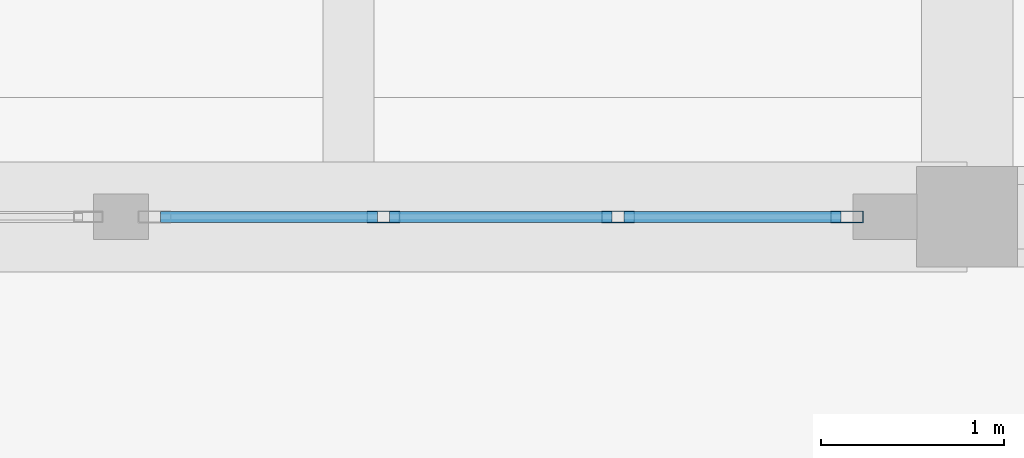
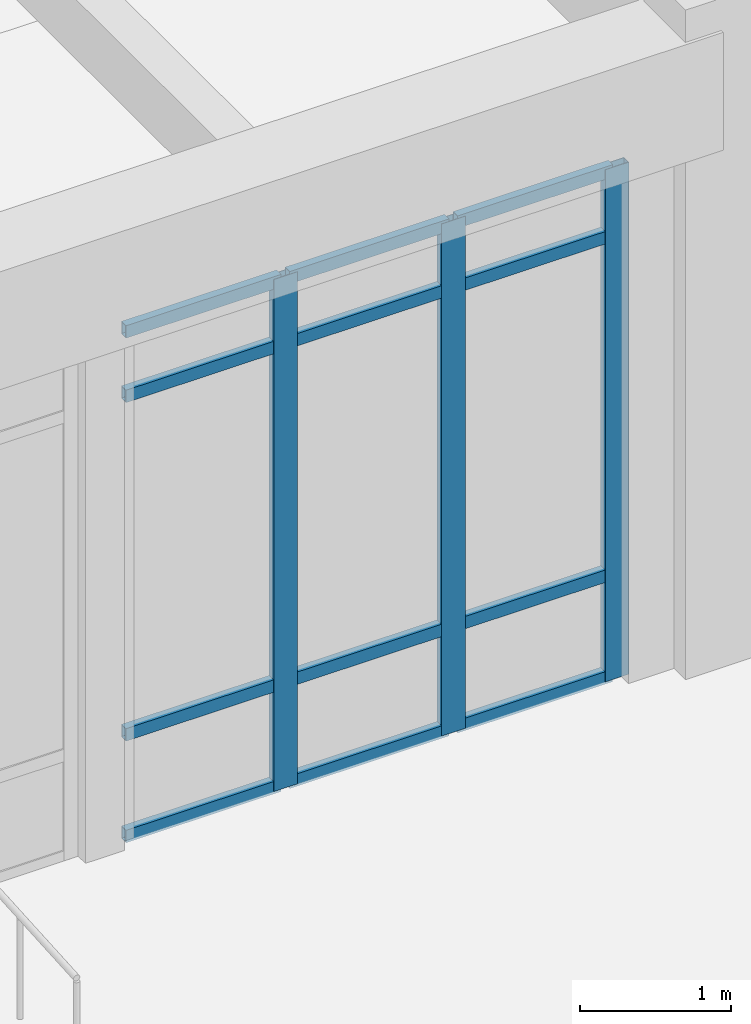
# One storey, part 59 of 138: 15 members, 1 element without a shape of its own.
"""IFC4 building model written with IfcOpenShell, lengths in metres."""

from ifc_helpers import new_model, si_unit, direction, frame, origin, origin_2d, place, context, subcontext, project, spatial, hollow_rectangle, extrude, material, layer, layer_set, material_profile, profile_set, type_object, element, aggregate, save


model = new_model("IFC4")

# Units and contexts
model_context = context("Model", 3, precision=1e-05, world=origin(), true_north=direction((0.0, 1.0)))
body_context = subcontext(model_context, "Body", "Model", "MODEL_VIEW")
ifc_project = project(units=[si_unit("LENGTHUNIT", "METRE"), si_unit("AREAUNIT", "SQUARE_METRE"), si_unit("VOLUMEUNIT", "CUBIC_METRE"), si_unit("PLANEANGLEUNIT", "RADIAN"), si_unit("MASSUNIT", "GRAM", prefix="KILO")], contexts=[model_context])

# Site, building, storey
site_placement = place(None, origin())
site = spatial("IfcSite", under=ifc_project, at=site_placement, CompositionType="ELEMENT")
building_placement = place(site_placement, origin())
building = spatial("IfcBuilding", under=site, at=building_placement, Name="Fikremerkos Civic Library", CompositionType="ELEMENT")
storey_placement = place(building_placement, origin())
storey = spatial("IfcBuildingStorey", under=building, at=storey_placement, Name="L00", CompositionType="ELEMENT", Elevation=0.0)

# Curtain wall, members
ifc_material = material(Name="Anodized aluminium Frame", Category="aluminium")
ifc_layer = layer(ifc_material, 0.159912109375, Name="Anodized aluminium Frame")
ifc_layer_set = layer_set([ifc_layer], Name="Anodized aluminium Frame")
curtain_wall_type = type_object("IfcCurtainWallType", Name="Unitised curtain wall CW-13 3700x3200", PredefinedType="USERDEFINED", material=ifc_layer_set)
curtain_wall_placement = place(storey_placement, origin())
curtain_wall = element("IfcCurtainWall", 1, at=curtain_wall_placement, inside=storey, type_object=curtain_wall_type, Name="Unitised curtain wall CW-13 L00 #31", ObjectType="UNITISED CURTAIN WALL", PredefinedType="USERDEFINED")
ifc_material_profile_1 = material_profile(ifc_material, hollow_rectangle(XDim=0.06494140625, YDim=0.179931640625, WallThickness=0.00439453125, at=origin_2d()), Name="ALU 180x65x4.5")
ifc_profile_set_1 = profile_set([ifc_material_profile_1], Name="Anodized aluminium Frame")
member_type_1 = type_object("IfcMemberType", Name="Curtain mullion CWM-01 ALU 180x65x4.5", PredefinedType="MULLION", material=ifc_profile_set_1)
member_1_placement = place(storey_placement, frame((99.54443359375, 96.0, 0.0), z_axis=(0.0, 0.0, 1.0), x_axis=(0.0, -1.0, 0.0)))
member_1 = element("IfcMember", 2, at=member_1_placement, type_object=member_type_1, Name="CW-13 mullion 1", PredefinedType="MULLION", context=body_context, shape_type="SweptSolid", body=[
    extrude(hollow_rectangle(XDim=0.06494140625, YDim=0.179931640625, WallThickness=0.00439453125, at=origin_2d()), origin(), (0.0, 0.0, 1.0), 4.1298828125),
])
member_2_placement = place(storey_placement, frame((98.2958984375, 96.0, 0.0), z_axis=(0.0, 0.0, 1.0), x_axis=(0.0, -1.0, 0.0)))
member_2 = element("IfcMember", 3, at=member_2_placement, type_object=member_type_1, Name="CW-13 mullion 2", PredefinedType="MULLION", context=body_context, shape_type="SweptSolid", body=[
    extrude(hollow_rectangle(XDim=0.06494140625, YDim=0.179931640625, WallThickness=0.00439453125, at=origin_2d()), origin(), (0.0, 0.0, 1.0), 4.1298828125),
])
member_3_placement = place(storey_placement, frame((97.014892578125, 96.0, 0.0), z_axis=(0.0, 0.0, 1.0), x_axis=(0.0, -1.0, 0.0)))
member_3 = element("IfcMember", 4, at=member_3_placement, type_object=member_type_1, Name="CW-13 mullion 3", PredefinedType="MULLION", context=body_context, shape_type="SweptSolid", body=[
    extrude(hollow_rectangle(XDim=0.06494140625, YDim=0.179931640625, WallThickness=0.00439453125, at=origin_2d()), origin(), (0.0, 0.0, 1.0), 4.1298828125),
])
ifc_material_profile_2 = material_profile(ifc_material, hollow_rectangle(XDim=0.06005859375, YDim=0.10009765625, WallThickness=0.00390625, at=origin_2d()), Name="ALU 100x60x4")
ifc_profile_set_2 = profile_set([ifc_material_profile_2], Name="Anodized aluminium Frame")
member_type_2 = type_object("IfcMemberType", Name="Curtain transom CWT-03 ALU 100x60x4", PredefinedType="USERDEFINED", material=ifc_profile_set_2)
member_4_placement = place(storey_placement, frame((99.511962890625, 96.0, 0.030029296875), z_axis=(-1.0, 0.0, 0.0), x_axis=(0.0, -1.0, 0.0)))
member_4 = element("IfcMember", 5, at=member_4_placement, type_object=member_type_2, Name="CW-13 transom 1.1", ObjectType="TRANSOM", PredefinedType="USERDEFINED", context=body_context, shape_type="SweptSolid", body=[
    extrude(hollow_rectangle(XDim=0.06005859375, YDim=0.10009765625, WallThickness=0.00390625, at=origin_2d()), origin(), (0.0, 0.0, 1.0), 1.183349609375),
])
member_5_placement = place(storey_placement, frame((99.511962890625, 96.0, 0.85009765625), z_axis=(-1.0, 0.0, 0.0), x_axis=(0.0, -1.0, 0.0)))
member_5 = element("IfcMember", 6, at=member_5_placement, type_object=member_type_2, Name="CW-13 transom 1.2", ObjectType="TRANSOM", PredefinedType="USERDEFINED", context=body_context, shape_type="SweptSolid", body=[
    extrude(hollow_rectangle(XDim=0.06005859375, YDim=0.10009765625, WallThickness=0.00390625, at=origin_2d()), origin(), (0.0, 0.0, 1.0), 1.183349609375),
])
member_6_placement = place(storey_placement, frame((99.511962890625, 96.0, 3.580078125), z_axis=(-1.0, 0.0, 0.0), x_axis=(0.0, -1.0, 0.0)))
member_6 = element("IfcMember", 7, at=member_6_placement, type_object=member_type_2, Name="CW-13 transom 1.3", ObjectType="TRANSOM", PredefinedType="USERDEFINED", context=body_context, shape_type="SweptSolid", body=[
    extrude(hollow_rectangle(XDim=0.06005859375, YDim=0.10009765625, WallThickness=0.00390625, at=origin_2d()), origin(), (0.0, 0.0, 1.0), 1.183349609375),
])
member_7_placement = place(storey_placement, frame((99.511962890625, 96.0, 4.10009765625), z_axis=(-1.0, 0.0, 0.0), x_axis=(0.0, -1.0, 0.0)))
member_7 = element("IfcMember", 8, at=member_7_placement, type_object=member_type_2, Name="CW-13 transom 1.4", ObjectType="TRANSOM", PredefinedType="USERDEFINED", context=body_context, shape_type="SweptSolid", body=[
    extrude(hollow_rectangle(XDim=0.06005859375, YDim=0.10009765625, WallThickness=0.00390625, at=origin_2d()), origin(), (0.0, 0.0, 1.0), 1.183349609375),
])
member_8_placement = place(storey_placement, frame((98.263427734375, 96.0, 0.030029296875), z_axis=(-1.0, 0.0, 0.0), x_axis=(0.0, -1.0, 0.0)))
member_8 = element("IfcMember", 9, at=member_8_placement, type_object=member_type_2, Name="CW-13 transom 2.1", ObjectType="TRANSOM", PredefinedType="USERDEFINED", context=body_context, shape_type="SweptSolid", body=[
    extrude(hollow_rectangle(XDim=0.06005859375, YDim=0.10009765625, WallThickness=0.00390625, at=origin_2d()), origin(), (0.0, 0.0, 1.0), 1.2158203125),
])
member_9_placement = place(storey_placement, frame((98.263427734375, 96.0, 0.85009765625), z_axis=(-1.0, 0.0, 0.0), x_axis=(0.0, -1.0, 0.0)))
member_9 = element("IfcMember", 10, at=member_9_placement, type_object=member_type_2, Name="CW-13 transom 2.2", ObjectType="TRANSOM", PredefinedType="USERDEFINED", context=body_context, shape_type="SweptSolid", body=[
    extrude(hollow_rectangle(XDim=0.06005859375, YDim=0.10009765625, WallThickness=0.00390625, at=origin_2d()), origin(), (0.0, 0.0, 1.0), 1.2158203125),
])
member_10_placement = place(storey_placement, frame((98.263427734375, 96.0, 3.580078125), z_axis=(-1.0, 0.0, 0.0), x_axis=(0.0, -1.0, 0.0)))
member_10 = element("IfcMember", 11, at=member_10_placement, type_object=member_type_2, Name="CW-13 transom 2.3", ObjectType="TRANSOM", PredefinedType="USERDEFINED", context=body_context, shape_type="SweptSolid", body=[
    extrude(hollow_rectangle(XDim=0.06005859375, YDim=0.10009765625, WallThickness=0.00390625, at=origin_2d()), origin(), (0.0, 0.0, 1.0), 1.2158203125),
])
member_11_placement = place(storey_placement, frame((98.263427734375, 96.0, 4.10009765625), z_axis=(-1.0, 0.0, 0.0), x_axis=(0.0, -1.0, 0.0)))
member_11 = element("IfcMember", 12, at=member_11_placement, type_object=member_type_2, Name="CW-13 transom 2.4", ObjectType="TRANSOM", PredefinedType="USERDEFINED", context=body_context, shape_type="SweptSolid", body=[
    extrude(hollow_rectangle(XDim=0.06005859375, YDim=0.10009765625, WallThickness=0.00390625, at=origin_2d()), origin(), (0.0, 0.0, 1.0), 1.2158203125),
])
member_12_placement = place(storey_placement, frame((96.982421875, 96.0, 0.030029296875), z_axis=(-1.0, 0.0, 0.0), x_axis=(0.0, -1.0, 0.0)))
member_12 = element("IfcMember", 13, at=member_12_placement, type_object=member_type_2, Name="CW-13 transom 3.1", ObjectType="TRANSOM", PredefinedType="USERDEFINED", context=body_context, shape_type="SweptSolid", body=[
    extrude(hollow_rectangle(XDim=0.06005859375, YDim=0.10009765625, WallThickness=0.00390625, at=origin_2d()), origin(), (0.0, 0.0, 1.0), 1.183349609375),
])
member_13_placement = place(storey_placement, frame((96.982421875, 96.0, 0.85009765625), z_axis=(-1.0, 0.0, 0.0), x_axis=(0.0, -1.0, 0.0)))
member_13 = element("IfcMember", 14, at=member_13_placement, type_object=member_type_2, Name="CW-13 transom 3.2", ObjectType="TRANSOM", PredefinedType="USERDEFINED", context=body_context, shape_type="SweptSolid", body=[
    extrude(hollow_rectangle(XDim=0.06005859375, YDim=0.10009765625, WallThickness=0.00390625, at=origin_2d()), origin(), (0.0, 0.0, 1.0), 1.183349609375),
])
member_14_placement = place(storey_placement, frame((96.982421875, 96.0, 3.580078125), z_axis=(-1.0, 0.0, 0.0), x_axis=(0.0, -1.0, 0.0)))
member_14 = element("IfcMember", 15, at=member_14_placement, type_object=member_type_2, Name="CW-13 transom 3.3", ObjectType="TRANSOM", PredefinedType="USERDEFINED", context=body_context, shape_type="SweptSolid", body=[
    extrude(hollow_rectangle(XDim=0.06005859375, YDim=0.10009765625, WallThickness=0.00390625, at=origin_2d()), origin(), (0.0, 0.0, 1.0), 1.183349609375),
])
member_15_placement = place(storey_placement, frame((96.982421875, 96.0, 4.10009765625), z_axis=(-1.0, 0.0, 0.0), x_axis=(0.0, -1.0, 0.0)))
member_15 = element("IfcMember", 16, at=member_15_placement, type_object=member_type_2, Name="CW-13 transom 3.4", ObjectType="TRANSOM", PredefinedType="USERDEFINED", context=body_context, shape_type="SweptSolid", body=[
    extrude(hollow_rectangle(XDim=0.06005859375, YDim=0.10009765625, WallThickness=0.00390625, at=origin_2d()), origin(), (0.0, 0.0, 1.0), 1.183349609375),
])
aggregate(curtain_wall, [member_1, member_2, member_3, member_4, member_5, member_6, member_7, member_8, member_9, member_10, member_11, member_12, member_13, member_14, member_15])

save(model, "model.ifc")
